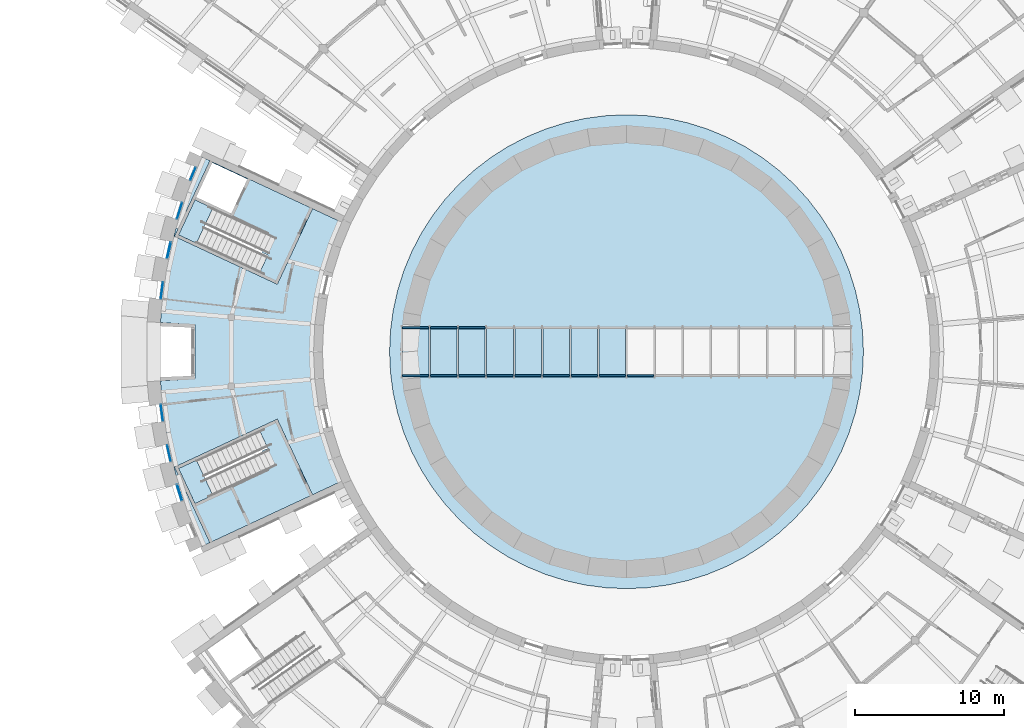
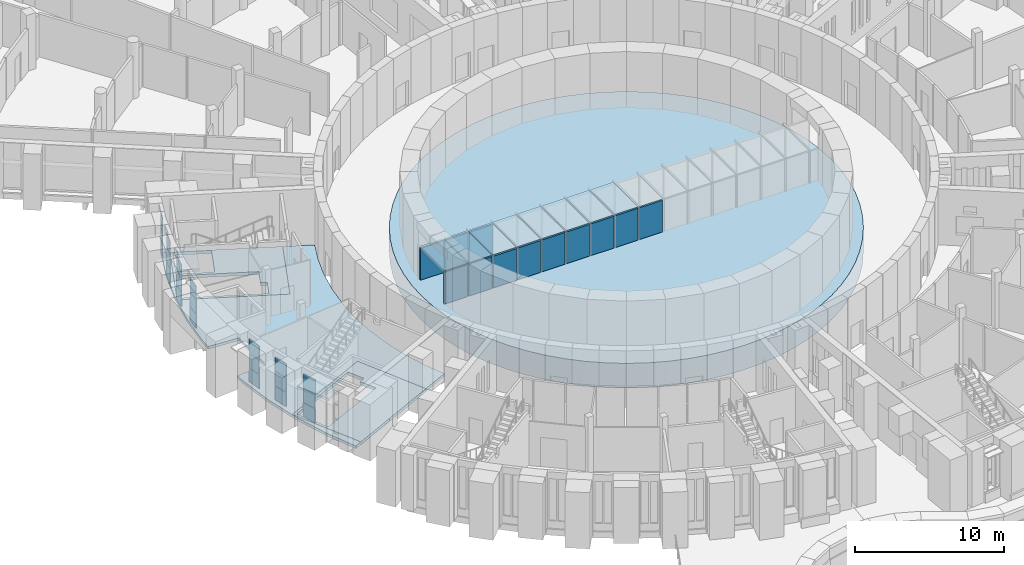
# One storey, part 33 of 85: 41 plates, 6 slabs, 10 elements without a shape of their own.
"""IFC4 building model written with IfcOpenShell, lengths in metres."""

from ifc_helpers import new_model, si_unit, direction, frame, origin, origin_2d, place, context, subcontext, project, spatial, polyline, rectangle, outline, extrude, material, layer, layer_set, type_object, element, aggregate, save


model = new_model("IFC4")

# Units and contexts
model_context = context("Model", 3, precision=1e-05, world=origin(), true_north=direction((0.0, 1.0)))
body_context = subcontext(model_context, "Body", "Model", "MODEL_VIEW")
ifc_project = project(units=[si_unit("LENGTHUNIT", "METRE"), si_unit("AREAUNIT", "SQUARE_METRE"), si_unit("VOLUMEUNIT", "CUBIC_METRE"), si_unit("PLANEANGLEUNIT", "RADIAN"), si_unit("MASSUNIT", "GRAM", prefix="KILO")], contexts=[model_context])

# Site, building, storey
site_placement = place(None, origin())
site = spatial("IfcSite", under=ifc_project, at=site_placement, CompositionType="ELEMENT")
building_placement = place(site_placement, origin())
building = spatial("IfcBuilding", under=site, at=building_placement, Name="Volute Hill Aquarium", CompositionType="ELEMENT")
storey_placement = place(building_placement, origin())
storey = spatial("IfcBuildingStorey", under=building, at=storey_placement, Name="L01", CompositionType="ELEMENT", Elevation=0.0)

# Slabs
ifc_material_1 = material(Name="Concrete C30/37", Category="concrete")
ifc_layer_1 = layer(ifc_material_1, 0.25)
ifc_layer_set_1 = layer_set([ifc_layer_1], Name="Core floor slab 250")
slab_type_1 = type_object("IfcSlabType", Name="Core floor slab 250", PredefinedType="FLOOR", material=ifc_layer_set_1)
slab_1_placement = place(storey_placement, frame((0.0, 0.0, -0.25)))
element("IfcSlab", 1, at=slab_1_placement, inside=storey, type_object=slab_type_1, Name="cs/S1-A/L01", PredefinedType="FLOOR", context=body_context, shape_type="SweptSolid", body=[
    extrude(outline(polyline([(-21.0654296875, 9.602294921875), (-27.95361328125, 12.814208984375), (-30.3203125, 7.739013671875), (-23.43212890625, 4.527099609375), (-21.0654296875, 9.602294921875)]), holes=[polyline([(-26.5146484375, 9.2744140625), (-28.87109375, 10.373291015625), (-27.79345703125, 12.684326171875), (-25.43701171875, 11.585693359375), (-26.5146484375, 9.2744140625)]), polyline([(-24.47509765625, 6.668212890625), (-24.06884765625, 6.47900390625), (-24.618408203125, 5.30078125), (-30.054443359375, 7.835693359375), (-28.95556640625, 10.192138671875), (-23.925537109375, 7.846435546875), (-24.47509765625, 6.668212890625)])]), origin(), (0.0, 0.0, 1.0), 0.25),
])
slab_2_placement = place(storey_placement, frame((0.0, 0.0, -0.25)))
element("IfcSlab", 2, at=slab_2_placement, inside=storey, type_object=slab_type_1, Name="cs/S1-B/L01", PredefinedType="FLOOR", context=body_context, shape_type="SweptSolid", body=[
    extrude(outline(polyline([(-23.43212890625, -4.527099609375), (-30.3203125, -7.739013671875), (-27.95361328125, -12.814208984375), (-21.0654296875, -9.602294921875), (-23.43212890625, -4.527099609375)]), holes=[polyline([(-23.925537109375, -7.846435546875), (-28.95556640625, -10.192138671875), (-30.054443359375, -7.835693359375), (-24.618408203125, -5.30078125), (-24.06884765625, -6.47900390625), (-24.47509765625, -6.668212890625), (-23.925537109375, -7.846435546875)])]), origin(), (0.0, 0.0, 1.0), 0.25),
])

# Curtain wall, plates
ifc_material_2 = material(Name="Aluminium", Category="aluminium")
ifc_layer_2 = layer(ifc_material_2, 0.25)
ifc_layer_set_2 = layer_set([ifc_layer_2], Name="Curtain wall niche S1 module 993")
curtain_wall_type_1 = type_object("IfcCurtainWallType", Name="Curtain wall niche S1 module 993", PredefinedType="NOTDEFINED", material=ifc_layer_set_2)
curtain_wall_1_placement = place(storey_placement, origin())
curtain_wall_1 = element("IfcCurtainWall", 3, at=curtain_wall_1_placement, inside=storey, type_object=curtain_wall_type_1, Name="Curtain wall CW S1 L01 1", PredefinedType="NOTDEFINED")
ifc_material_3 = material(Name="Glass, low-iron laminated", Category="glass")
ifc_layer_3 = layer(ifc_material_3, 0.028076171875)
ifc_layer_set_3 = layer_set([ifc_layer_3], Name="Curtain wall glass panel S1 28")
plate_type_1 = type_object("IfcPlateType", Name="Curtain wall glass panel S1 28", PredefinedType="CURTAIN_PANEL", material=ifc_layer_set_3)
plate_1_placement = place(storey_placement, frame((-29.08935546875, 11.94091796875, 0.5), z_axis=(0.0, 0.0, 1.0), x_axis=(-0.382669702059, -0.923885219671, 0.0)))
plate_1 = element("IfcPlate", 4, at=plate_1_placement, type_object=plate_type_1, Name="CW panel 1.1", PredefinedType="CURTAIN_PANEL", context=body_context, shape_type="SweptSolid", body=[
    extrude(rectangle(XDim=0.892822265625, YDim=0.028076171875, at=origin_2d()), origin(), (0.0, 0.0, 1.0), 1.125),
])
plate_2_placement = place(storey_placement, frame((-29.08935546875, 11.94091796875, 1.675048828125), z_axis=(0.0, 0.0, 1.0), x_axis=(-0.382669702059, -0.923885219671, 0.0)))
plate_2 = element("IfcPlate", 5, at=plate_2_placement, type_object=plate_type_1, Name="CW panel 1.2", PredefinedType="CURTAIN_PANEL", context=body_context, shape_type="SweptSolid", body=[
    extrude(rectangle(XDim=0.892822265625, YDim=0.028076171875, at=origin_2d()), origin(), (0.0, 0.0, 1.0), 1.14990234375),
])
plate_3_placement = place(storey_placement, frame((-29.08935546875, 11.94091796875, 2.875), z_axis=(0.0, 0.0, 1.0), x_axis=(-0.382669702059, -0.923885219671, 0.0)))
plate_3 = element("IfcPlate", 6, at=plate_3_placement, type_object=plate_type_1, Name="CW panel 1.3", PredefinedType="CURTAIN_PANEL", context=body_context, shape_type="SweptSolid", body=[
    extrude(rectangle(XDim=0.892822265625, YDim=0.028076171875, at=origin_2d()), origin(), (0.0, 0.0, 1.0), 1.125),
])
aggregate(curtain_wall_1, [plate_1, plate_2, plate_3])

ifc_material_4 = material(Name="Aluminium", Category="aluminium")
ifc_layer_4 = layer(ifc_material_4, 0.25)
ifc_layer_set_4 = layer_set([ifc_layer_4], Name="Curtain wall niche S1 module 1193")
curtain_wall_type_2 = type_object("IfcCurtainWallType", Name="Curtain wall niche S1 module 1193", PredefinedType="NOTDEFINED", material=ifc_layer_set_4)
curtain_wall_2_placement = place(storey_placement, origin())
curtain_wall_2 = element("IfcCurtainWall", 7, at=curtain_wall_2_placement, inside=storey, type_object=curtain_wall_type_2, Name="Curtain wall CW S1 L01 2", PredefinedType="NOTDEFINED")
plate_4_placement = place(storey_placement, frame((-29.9892578125, 9.45556640625, 0.5), z_axis=(0.0, 0.0, 1.0), x_axis=(-0.300702070227, -0.953718126577, 0.0)))
plate_4 = element("IfcPlate", 8, at=plate_4_placement, type_object=plate_type_1, Name="CW panel 1.1", PredefinedType="CURTAIN_PANEL", context=body_context, shape_type="SweptSolid", body=[
    extrude(rectangle(XDim=1.093017578125, YDim=0.028076171875, at=origin_2d()), origin(), (0.0, 0.0, 1.0), 1.125),
])
plate_5_placement = place(storey_placement, frame((-29.9892578125, 9.45556640625, 1.675048828125), z_axis=(0.0, 0.0, 1.0), x_axis=(-0.300702070227, -0.953718126577, 0.0)))
plate_5 = element("IfcPlate", 9, at=plate_5_placement, type_object=plate_type_1, Name="CW panel 1.2", PredefinedType="CURTAIN_PANEL", context=body_context, shape_type="SweptSolid", body=[
    extrude(rectangle(XDim=1.093017578125, YDim=0.028076171875, at=origin_2d()), origin(), (0.0, 0.0, 1.0), 1.14990234375),
])
plate_6_placement = place(storey_placement, frame((-29.9892578125, 9.45556640625, 2.875), z_axis=(0.0, 0.0, 1.0), x_axis=(-0.300702070227, -0.953718126577, 0.0)))
plate_6 = element("IfcPlate", 10, at=plate_6_placement, type_object=plate_type_1, Name="CW panel 1.3", PredefinedType="CURTAIN_PANEL", context=body_context, shape_type="SweptSolid", body=[
    extrude(rectangle(XDim=1.093017578125, YDim=0.028076171875, at=origin_2d()), origin(), (0.0, 0.0, 1.0), 1.125),
])
aggregate(curtain_wall_2, [plate_4, plate_5, plate_6])

curtain_wall_3_placement = place(storey_placement, origin())
curtain_wall_3 = element("IfcCurtainWall", 11, at=curtain_wall_3_placement, inside=storey, type_object=curtain_wall_type_2, Name="Curtain wall CW S1 L01 3", PredefinedType="NOTDEFINED")
plate_7_placement = place(storey_placement, frame((-30.699462890625, 6.805908203125, 1.675048828125), z_axis=(0.0, 0.0, 1.0), x_axis=(-0.216458239523, -0.976291877741, 0.0)))
plate_7 = element("IfcPlate", 12, at=plate_7_placement, type_object=plate_type_1, Name="CW panel 1.2", PredefinedType="CURTAIN_PANEL", context=body_context, shape_type="SweptSolid", body=[
    extrude(rectangle(XDim=1.093017578125, YDim=0.028076171875, at=origin_2d()), origin(), (0.0, 0.0, 1.0), 1.14990234375),
])
plate_8_placement = place(storey_placement, frame((-30.699462890625, 6.805908203125, 2.875), z_axis=(0.0, 0.0, 1.0), x_axis=(-0.216458239523, -0.976291877741, 0.0)))
plate_8 = element("IfcPlate", 13, at=plate_8_placement, type_object=plate_type_1, Name="CW panel 1.3", PredefinedType="CURTAIN_PANEL", context=body_context, shape_type="SweptSolid", body=[
    extrude(rectangle(XDim=1.093017578125, YDim=0.028076171875, at=origin_2d()), origin(), (0.0, 0.0, 1.0), 1.125),
])

curtain_wall_4_placement = place(storey_placement, origin())
curtain_wall_4 = element("IfcCurtainWall", 14, at=curtain_wall_4_placement, inside=storey, type_object=curtain_wall_type_2, Name="Curtain wall CW S1 L01 4", PredefinedType="NOTDEFINED")
plate_9_placement = place(storey_placement, frame((-31.17578125, 4.104248046875, 0.5), z_axis=(0.0, 0.0, 1.0), x_axis=(-0.130531706148, -0.991444135436, 0.0)))
plate_9 = element("IfcPlate", 15, at=plate_9_placement, type_object=plate_type_1, Name="CW panel 1.1", PredefinedType="CURTAIN_PANEL", context=body_context, shape_type="SweptSolid", body=[
    extrude(rectangle(XDim=1.093017578125, YDim=0.028076171875, at=origin_2d()), origin(), (0.0, 0.0, 1.0), 1.125),
])
plate_10_placement = place(storey_placement, frame((-31.17578125, 4.104248046875, 1.675048828125), z_axis=(0.0, 0.0, 1.0), x_axis=(-0.130531706148, -0.991444135436, 0.0)))
plate_10 = element("IfcPlate", 16, at=plate_10_placement, type_object=plate_type_1, Name="CW panel 1.2", PredefinedType="CURTAIN_PANEL", context=body_context, shape_type="SweptSolid", body=[
    extrude(rectangle(XDim=1.093017578125, YDim=0.028076171875, at=origin_2d()), origin(), (0.0, 0.0, 1.0), 1.14990234375),
])
plate_11_placement = place(storey_placement, frame((-31.17578125, 4.104248046875, 2.875), z_axis=(0.0, 0.0, 1.0), x_axis=(-0.130531706148, -0.991444135436, 0.0)))
plate_11 = element("IfcPlate", 17, at=plate_11_placement, type_object=plate_type_1, Name="CW panel 1.3", PredefinedType="CURTAIN_PANEL", context=body_context, shape_type="SweptSolid", body=[
    extrude(rectangle(XDim=1.093017578125, YDim=0.028076171875, at=origin_2d()), origin(), (0.0, 0.0, 1.0), 1.125),
])
aggregate(curtain_wall_4, [plate_9, plate_10, plate_11])

curtain_wall_5_placement = place(storey_placement, origin())
curtain_wall_5 = element("IfcCurtainWall", 18, at=curtain_wall_5_placement, inside=storey, type_object=curtain_wall_type_2, Name="Curtain wall CW S1 L01 7", PredefinedType="NOTDEFINED")
plate_12_placement = place(storey_placement, frame((-31.17578125, -4.1044921875, 0.5), z_axis=(0.0, 0.0, 1.0), x_axis=(0.130523466497, -0.991445220218, 0.0)))
plate_12 = element("IfcPlate", 19, at=plate_12_placement, type_object=plate_type_1, Name="CW panel 1.1", PredefinedType="CURTAIN_PANEL", context=body_context, shape_type="SweptSolid", body=[
    extrude(rectangle(XDim=1.093017578125, YDim=0.028076171875, at=origin_2d()), origin(), (0.0, 0.0, 1.0), 1.125),
])
plate_13_placement = place(storey_placement, frame((-31.17578125, -4.1044921875, 1.675048828125), z_axis=(0.0, 0.0, 1.0), x_axis=(0.130523466497, -0.991445220218, 0.0)))
plate_13 = element("IfcPlate", 20, at=plate_13_placement, type_object=plate_type_1, Name="CW panel 1.2", PredefinedType="CURTAIN_PANEL", context=body_context, shape_type="SweptSolid", body=[
    extrude(rectangle(XDim=1.093017578125, YDim=0.028076171875, at=origin_2d()), origin(), (0.0, 0.0, 1.0), 1.14990234375),
])
plate_14_placement = place(storey_placement, frame((-31.17578125, -4.1044921875, 2.875), z_axis=(0.0, 0.0, 1.0), x_axis=(0.130523466497, -0.991445220218, 0.0)))
plate_14 = element("IfcPlate", 21, at=plate_14_placement, type_object=plate_type_1, Name="CW panel 1.3", PredefinedType="CURTAIN_PANEL", context=body_context, shape_type="SweptSolid", body=[
    extrude(rectangle(XDim=1.093017578125, YDim=0.028076171875, at=origin_2d()), origin(), (0.0, 0.0, 1.0), 1.125),
])
aggregate(curtain_wall_5, [plate_12, plate_13, plate_14])

curtain_wall_6_placement = place(storey_placement, origin())
curtain_wall_6 = element("IfcCurtainWall", 22, at=curtain_wall_6_placement, inside=storey, type_object=curtain_wall_type_2, Name="Curtain wall CW S1 L01 8", PredefinedType="NOTDEFINED")
plate_15_placement = place(storey_placement, frame((-30.699462890625, -6.805908203125, 0.5), z_axis=(0.0, 0.0, 1.0), x_axis=(0.216456468061, -0.976292270498, 0.0)))
plate_15 = element("IfcPlate", 23, at=plate_15_placement, type_object=plate_type_1, Name="CW panel 1.1", PredefinedType="CURTAIN_PANEL", context=body_context, shape_type="SweptSolid", body=[
    extrude(rectangle(XDim=1.093017578125, YDim=0.028076171875, at=origin_2d()), origin(), (0.0, 0.0, 1.0), 1.125),
])
plate_16_placement = place(storey_placement, frame((-30.699462890625, -6.805908203125, 1.675048828125), z_axis=(0.0, 0.0, 1.0), x_axis=(0.216456468061, -0.976292270498, 0.0)))
plate_16 = element("IfcPlate", 24, at=plate_16_placement, type_object=plate_type_1, Name="CW panel 1.2", PredefinedType="CURTAIN_PANEL", context=body_context, shape_type="SweptSolid", body=[
    extrude(rectangle(XDim=1.093017578125, YDim=0.028076171875, at=origin_2d()), origin(), (0.0, 0.0, 1.0), 1.14990234375),
])
plate_17_placement = place(storey_placement, frame((-30.699462890625, -6.805908203125, 2.875), z_axis=(0.0, 0.0, 1.0), x_axis=(0.216456468061, -0.976292270498, 0.0)))
plate_17 = element("IfcPlate", 25, at=plate_17_placement, type_object=plate_type_1, Name="CW panel 1.3", PredefinedType="CURTAIN_PANEL", context=body_context, shape_type="SweptSolid", body=[
    extrude(rectangle(XDim=1.093017578125, YDim=0.028076171875, at=origin_2d()), origin(), (0.0, 0.0, 1.0), 1.125),
])
aggregate(curtain_wall_6, [plate_15, plate_16, plate_17])

curtain_wall_7_placement = place(storey_placement, origin())
curtain_wall_7 = element("IfcCurtainWall", 26, at=curtain_wall_7_placement, inside=storey, type_object=curtain_wall_type_2, Name="Curtain wall CW S1 L01 9", PredefinedType="NOTDEFINED")
plate_18_placement = place(storey_placement, frame((-29.9892578125, -9.45556640625, 1.675048828125), z_axis=(0.0, 0.0, 1.0), x_axis=(0.30069966623, -0.95371888454, 0.0)))
plate_18 = element("IfcPlate", 27, at=plate_18_placement, type_object=plate_type_1, Name="CW panel 1.2", PredefinedType="CURTAIN_PANEL", context=body_context, shape_type="SweptSolid", body=[
    extrude(rectangle(XDim=1.093017578125, YDim=0.028076171875, at=origin_2d()), origin(), (0.0, 0.0, 1.0), 1.14990234375),
])
plate_19_placement = place(storey_placement, frame((-29.9892578125, -9.45556640625, 2.875), z_axis=(0.0, 0.0, 1.0), x_axis=(0.30069966623, -0.95371888454, 0.0)))
plate_19 = element("IfcPlate", 28, at=plate_19_placement, type_object=plate_type_1, Name="CW panel 1.3", PredefinedType="CURTAIN_PANEL", context=body_context, shape_type="SweptSolid", body=[
    extrude(rectangle(XDim=1.093017578125, YDim=0.028076171875, at=origin_2d()), origin(), (0.0, 0.0, 1.0), 1.125),
])

# Plate
ifc_material_5 = material(Name="Aluminium", Category="aluminium")
ifc_layer_5 = layer(ifc_material_5, 0.06005859375)
ifc_layer_set_5 = layer_set([ifc_layer_5], Name="Curtain wall insulated spandrel panel 60")
plate_type_2 = type_object("IfcPlateType", Name="Curtain wall insulated spandrel panel 60", PredefinedType="CURTAIN_PANEL", material=ifc_layer_set_5)
plate_20_placement = place(storey_placement, frame((-30.699462890625, 6.805908203125, 0.5), z_axis=(0.0, 0.0, 1.0), x_axis=(-0.216458239523, -0.976291877741, 0.0)))
plate_20 = element("IfcPlate", 29, at=plate_20_placement, type_object=plate_type_2, Name="CW panel 1.1", PredefinedType="CURTAIN_PANEL", context=body_context, shape_type="SweptSolid", body=[
    extrude(rectangle(XDim=1.093017578125, YDim=0.06005859375, at=origin_2d()), origin(), (0.0, 0.0, 1.0), 1.125),
])

aggregate(curtain_wall_3, [plate_20, plate_7, plate_8])

plate_21_placement = place(storey_placement, frame((-29.9892578125, -9.45556640625, 0.5), z_axis=(0.0, 0.0, 1.0), x_axis=(0.30069966623, -0.95371888454, 0.0)))
plate_21 = element("IfcPlate", 30, at=plate_21_placement, type_object=plate_type_2, Name="CW panel 1.1", PredefinedType="CURTAIN_PANEL", context=body_context, shape_type="SweptSolid", body=[
    extrude(rectangle(XDim=1.093017578125, YDim=0.06005859375, at=origin_2d()), origin(), (0.0, 0.0, 1.0), 1.125),
])

aggregate(curtain_wall_7, [plate_21, plate_18, plate_19])

# Slab
ifc_material_6 = material(Name="Concrete C35/45", Category="concrete")
ifc_layer_6 = layer(ifc_material_6, 0.219970703125)
ifc_layer_set_6 = layer_set([ifc_layer_6], Name="Floor slab 220 C35/45")
slab_type_2 = type_object("IfcSlabType", Name="Floor slab 220 C35/45", PredefinedType="FLOOR", material=ifc_layer_set_6)
slab_3_placement = place(storey_placement, frame((0.0, 0.0, -0.219970703125)))
element("IfcSlab", 31, at=slab_3_placement, inside=storey, type_object=slab_type_2, Name="fl/S1/L01/1", PredefinedType="FLOOR", context=body_context, shape_type="SweptSolid", body=[
    extrude(outline(polyline([(-31.230712890625, 2.732421875), (-30.873779296875, 5.44384765625), (-30.28173828125, 8.114013671875), (-29.45947265625, 10.722412109375), (-28.4892578125, 13.064208984375), (-24.94482421875, 11.411376953125), (-27.95361328125, 12.814208984375), (-30.3203125, 7.739013671875), (-23.43212890625, 4.527099609375), (-21.0654296875, 9.602294921875), (-19.109130859375, 8.68994140625), (-19.7333984375, 7.182373046875), (-20.284423828125, 5.435302734375), (-20.680908203125, 3.646484375), (-20.920166015625, 1.830322265625), (-21.0, 0.0), (-20.920166015625, -1.830322265625), (-20.680908203125, -3.646484375), (-20.284423828125, -5.435302734375), (-19.7333984375, -7.182373046875), (-19.109130859375, -8.68994140625), (-21.0654296875, -9.602294921875), (-23.43212890625, -4.527099609375), (-30.3203125, -7.739013671875), (-27.95361328125, -12.814208984375), (-24.94482421875, -11.411376953125), (-28.4892578125, -13.064208984375), (-29.45947265625, -10.722412109375), (-30.28173828125, -8.114013671875), (-30.873779296875, -5.44384765625), (-31.230712890625, -2.732421875), (-31.2646484375, -1.95361328125), (-28.965087890625, -1.81005859375), (-28.965087890625, 1.809814453125), (-31.2646484375, 1.95361328125), (-31.230712890625, 2.732421875)])), origin(), (0.0, 0.0, 1.0), 0.219970703125),
])

# Stair, slab
ifc_material_7 = material(Name="Concrete C35/45", Category="concrete")
stair_type = type_object("IfcStairType", Name="Stair C35/45", PredefinedType="HALF_TURN_STAIR", material=ifc_material_7)
stair_1_placement = place(storey_placement, origin())
stair_1 = element("IfcStair", 32, at=stair_1_placement, inside=storey, type_object=stair_type, Name="ST/S1-A/L01", PredefinedType="HALF_TURN_STAIR")
ifc_material_8 = material(Name="Concrete C35/45", Category="concrete")
ifc_layer_7 = layer(ifc_material_8, 0.199951171875)
ifc_layer_set_7 = layer_set([ifc_layer_7], Name="Stair landing C35/45 200")
slab_type_3 = type_object("IfcSlabType", Name="Stair landing C35/45 200", PredefinedType="LANDING", material=ifc_layer_set_7)
slab_4_placement = place(storey_placement, frame((0.0, 0.0, 2.10009765625)))
slab_4 = element("IfcSlab", 33, at=slab_4_placement, type_object=slab_type_3, Name="ST-S1-A-01 landing 1", PredefinedType="LANDING", context=body_context, shape_type="SweptSolid", body=[
    extrude(outline(polyline([(-27.75732421875, 9.63330078125), (-28.95556640625, 10.192138671875), (-30.054443359375, 7.835693359375), (-28.856201171875, 7.277099609375), (-27.75732421875, 9.63330078125)])), origin(), (0.0, 0.0, 1.0), 0.199951171875),
])
aggregate(stair_1, [slab_4])

stair_2_placement = place(storey_placement, origin())
stair_2 = element("IfcStair", 34, at=stair_2_placement, inside=storey, type_object=stair_type, Name="ST/S1-B/L01", PredefinedType="HALF_TURN_STAIR")
slab_5_placement = place(storey_placement, frame((0.0, 0.0, 2.10009765625)))
slab_5 = element("IfcSlab", 35, at=slab_5_placement, type_object=slab_type_3, Name="ST-S1-B-01 landing 1", PredefinedType="LANDING", context=body_context, shape_type="SweptSolid", body=[
    extrude(outline(polyline([(-28.856201171875, -7.277099609375), (-30.054443359375, -7.835693359375), (-28.95556640625, -10.192138671875), (-27.75732421875, -9.63330078125), (-28.856201171875, -7.277099609375)])), origin(), (0.0, 0.0, 1.0), 0.199951171875),
])
aggregate(stair_2, [slab_5])

# Slab
ifc_material_9 = material(Name="Concrete C40/50", Category="concrete")
ifc_layer_8 = layer(ifc_material_9, 2.0)
ifc_layer_set_8 = layer_set([ifc_layer_8], Name="Transfer slab C40/50 2000")
slab_type_4 = type_object("IfcSlabType", Name="Transfer slab C40/50 2000", PredefinedType="FLOOR", material=ifc_layer_set_8)
slab_6_placement = place(storey_placement, frame((0.0, 0.0, -2.0)))
element("IfcSlab", 36, at=slab_6_placement, inside=storey, type_object=slab_type_4, Name="fl/DR/L01/1", PredefinedType="FLOOR", context=body_context, shape_type="SweptSolid", body=[
    extrude(outline(polyline([(15.89990234375, 0.0), (15.839599609375, 1.3857421875), (15.658447265625, 2.760986328125), (15.358154296875, 4.115234375), (14.941162109375, 5.43798828125), (14.410400390625, 6.719482421875), (13.769775390625, 7.949951171875), (13.0244140625, 9.119873046875), (12.18017578125, 10.22021484375), (11.242919921875, 11.242919921875), (10.22021484375, 12.18017578125), (9.119873046875, 13.0244140625), (7.949951171875, 13.769775390625), (6.719482421875, 14.410400390625), (5.43798828125, 14.941162109375), (4.115234375, 15.358154296875), (2.760986328125, 15.658447265625), (1.3857421875, 15.839599609375), (0.0, 15.89990234375), (-1.3857421875, 15.839599609375), (-2.760986328125, 15.658447265625), (-4.115234375, 15.358154296875), (-5.43798828125, 14.941162109375), (-6.719482421875, 14.410400390625), (-7.949951171875, 13.769775390625), (-9.119873046875, 13.0244140625), (-10.22021484375, 12.18017578125), (-11.242919921875, 11.242919921875), (-12.18017578125, 10.22021484375), (-13.0244140625, 9.119873046875), (-13.769775390625, 7.949951171875), (-14.410400390625, 6.719482421875), (-14.941162109375, 5.43798828125), (-15.358154296875, 4.115234375), (-15.658447265625, 2.760986328125), (-15.839599609375, 1.3857421875), (-15.89990234375, 0.0), (-15.839599609375, -1.3857421875), (-15.658447265625, -2.760986328125), (-15.358154296875, -4.115234375), (-14.941162109375, -5.43798828125), (-14.410400390625, -6.719482421875), (-13.769775390625, -7.949951171875), (-13.0244140625, -9.119873046875), (-12.18017578125, -10.22021484375), (-11.242919921875, -11.242919921875), (-10.22021484375, -12.18017578125), (-9.119873046875, -13.0244140625), (-7.949951171875, -13.769775390625), (-6.719482421875, -14.410400390625), (-5.43798828125, -14.941162109375), (-4.115234375, -15.358154296875), (-2.760986328125, -15.658447265625), (-1.3857421875, -15.839599609375), (0.0, -15.89990234375), (1.3857421875, -15.839599609375), (2.760986328125, -15.658447265625), (4.115234375, -15.358154296875), (5.43798828125, -14.941162109375), (6.719482421875, -14.410400390625), (7.949951171875, -13.769775390625), (9.119873046875, -13.0244140625), (10.22021484375, -12.18017578125), (11.242919921875, -11.242919921875), (12.18017578125, -10.22021484375), (13.0244140625, -9.119873046875), (13.769775390625, -7.949951171875), (14.410400390625, -6.719482421875), (14.941162109375, -5.43798828125), (15.358154296875, -4.115234375), (15.658447265625, -2.760986328125), (15.839599609375, -1.3857421875), (15.89990234375, 0.0)])), origin(), (0.0, 0.0, 1.0), 2.0),
])

# Curtain wall, plates
ifc_material_10 = material(Name="Acrylic PMMA")
curtain_wall_type_3 = type_object("IfcCurtainWallType", Name="Viewing tunnel acrylic assembly", PredefinedType="NOTDEFINED", material=ifc_material_10)
curtain_wall_8_placement = place(storey_placement, origin())
curtain_wall_8 = element("IfcCurtainWall", 37, at=curtain_wall_8_placement, inside=storey, type_object=curtain_wall_type_3, Name="Viewing tunnel acrylic assembly", PredefinedType="NOTDEFINED")
ifc_material_11 = material(Name="Acrylic PMMA")
ifc_layer_9 = layer(ifc_material_11, 0.1201171875)
ifc_layer_set_9 = layer_set([ifc_layer_9], Name="Tunnel acrylic side panel 120")
plate_type_3 = type_object("IfcPlateType", Name="Tunnel acrylic side panel 120", PredefinedType="CURTAIN_PANEL", material=ifc_layer_set_9)
plate_22_placement = place(storey_placement, frame((-14.14697265625, -1.610107421875, 0.0), z_axis=(0.0, 0.0, 1.0), x_axis=(1.0, 0.0, 0.0)))
plate_22 = element("IfcPlate", 38, at=plate_22_placement, type_object=plate_type_3, Name="Tunnel acrylic panel 1A", PredefinedType="CURTAIN_PANEL", context=body_context, shape_type="SweptSolid", body=[
    extrude(rectangle(XDim=1.7861328125, YDim=0.1201171875, at=origin_2d()), origin(), (0.0, 0.0, 1.0), 2.60009765625),
])
plate_23_placement = place(storey_placement, frame((-14.14697265625, 1.610107421875, 0.0), z_axis=(0.0, 0.0, 1.0), x_axis=(1.0, 0.0, 0.0)))
plate_23 = element("IfcPlate", 39, at=plate_23_placement, type_object=plate_type_3, Name="Tunnel acrylic panel 1B", PredefinedType="CURTAIN_PANEL", context=body_context, shape_type="SweptSolid", body=[
    extrude(rectangle(XDim=1.7861328125, YDim=0.1201171875, at=origin_2d()), origin(), (0.0, 0.0, 1.0), 2.60009765625),
])
plate_24_placement = place(storey_placement, frame((-14.14697265625, 0.0, 2.599853515625), z_axis=(0.0, 0.0, 1.0), x_axis=(1.0, 0.0, 0.0)))
plate_24 = element("IfcPlate", 40, at=plate_24_placement, type_object=plate_type_3, Name="Tunnel acrylic roof panel 1", PredefinedType="CURTAIN_PANEL", context=body_context, shape_type="SweptSolid", body=[
    extrude(rectangle(XDim=1.7861328125, YDim=3.340087890625, at=origin_2d()), origin(), (0.0, 0.0, 1.0), 0.1201171875),
])
plate_25_placement = place(storey_placement, frame((-12.2607421875, -1.610107421875, 0.0), z_axis=(0.0, 0.0, 1.0), x_axis=(1.0, 0.0, 0.0)))
plate_25 = element("IfcPlate", 41, at=plate_25_placement, type_object=plate_type_3, Name="Tunnel acrylic panel 2A", PredefinedType="CURTAIN_PANEL", context=body_context, shape_type="SweptSolid", body=[
    extrude(rectangle(XDim=1.7861328125, YDim=0.1201171875, at=origin_2d()), origin(), (0.0, 0.0, 1.0), 2.60009765625),
])
plate_26_placement = place(storey_placement, frame((-12.2607421875, 1.610107421875, 0.0), z_axis=(0.0, 0.0, 1.0), x_axis=(1.0, 0.0, 0.0)))
plate_26 = element("IfcPlate", 42, at=plate_26_placement, type_object=plate_type_3, Name="Tunnel acrylic panel 2B", PredefinedType="CURTAIN_PANEL", context=body_context, shape_type="SweptSolid", body=[
    extrude(rectangle(XDim=1.7861328125, YDim=0.1201171875, at=origin_2d()), origin(), (0.0, 0.0, 1.0), 2.60009765625),
])
plate_27_placement = place(storey_placement, frame((-12.2607421875, 0.0, 2.599853515625), z_axis=(0.0, 0.0, 1.0), x_axis=(1.0, 0.0, 0.0)))
plate_27 = element("IfcPlate", 43, at=plate_27_placement, type_object=plate_type_3, Name="Tunnel acrylic roof panel 2", PredefinedType="CURTAIN_PANEL", context=body_context, shape_type="SweptSolid", body=[
    extrude(rectangle(XDim=1.7861328125, YDim=3.340087890625, at=origin_2d()), origin(), (0.0, 0.0, 1.0), 0.1201171875),
])
plate_28_placement = place(storey_placement, frame((-10.374267578125, -1.610107421875, 0.0), z_axis=(0.0, 0.0, 1.0), x_axis=(1.0, 0.0, 0.0)))
plate_28 = element("IfcPlate", 44, at=plate_28_placement, type_object=plate_type_3, Name="Tunnel acrylic panel 3A", PredefinedType="CURTAIN_PANEL", context=body_context, shape_type="SweptSolid", body=[
    extrude(rectangle(XDim=1.7861328125, YDim=0.1201171875, at=origin_2d()), origin(), (0.0, 0.0, 1.0), 2.60009765625),
])
plate_29_placement = place(storey_placement, frame((-10.374267578125, 1.610107421875, 0.0), z_axis=(0.0, 0.0, 1.0), x_axis=(1.0, 0.0, 0.0)))
plate_29 = element("IfcPlate", 45, at=plate_29_placement, type_object=plate_type_3, Name="Tunnel acrylic panel 3B", PredefinedType="CURTAIN_PANEL", context=body_context, shape_type="SweptSolid", body=[
    extrude(rectangle(XDim=1.7861328125, YDim=0.1201171875, at=origin_2d()), origin(), (0.0, 0.0, 1.0), 2.60009765625),
])
plate_30_placement = place(storey_placement, frame((-10.374267578125, 0.0, 2.599853515625), z_axis=(0.0, 0.0, 1.0), x_axis=(1.0, 0.0, 0.0)))
plate_30 = element("IfcPlate", 46, at=plate_30_placement, type_object=plate_type_3, Name="Tunnel acrylic roof panel 3", PredefinedType="CURTAIN_PANEL", context=body_context, shape_type="SweptSolid", body=[
    extrude(rectangle(XDim=1.7861328125, YDim=3.340087890625, at=origin_2d()), origin(), (0.0, 0.0, 1.0), 0.1201171875),
])
plate_31_placement = place(storey_placement, frame((-8.488037109375, -1.610107421875, 0.0), z_axis=(0.0, 0.0, 1.0), x_axis=(1.0, 0.0, 0.0)))
plate_31 = element("IfcPlate", 47, at=plate_31_placement, type_object=plate_type_3, Name="Tunnel acrylic panel 4A", PredefinedType="CURTAIN_PANEL", context=body_context, shape_type="SweptSolid", body=[
    extrude(rectangle(XDim=1.7861328125, YDim=0.1201171875, at=origin_2d()), origin(), (0.0, 0.0, 1.0), 2.60009765625),
])
plate_32_placement = place(storey_placement, frame((-8.488037109375, 0.0, 2.599853515625), z_axis=(0.0, 0.0, 1.0), x_axis=(1.0, 0.0, 0.0)))
plate_32 = element("IfcPlate", 48, at=plate_32_placement, type_object=plate_type_3, Name="Tunnel acrylic roof panel 4", PredefinedType="CURTAIN_PANEL", context=body_context, shape_type="SweptSolid", body=[
    extrude(rectangle(XDim=1.7861328125, YDim=3.340087890625, at=origin_2d()), origin(), (0.0, 0.0, 1.0), 0.1201171875),
])
plate_33_placement = place(storey_placement, frame((-6.601806640625, -1.610107421875, 0.0), z_axis=(0.0, 0.0, 1.0), x_axis=(1.0, 0.0, 0.0)))
plate_33 = element("IfcPlate", 49, at=plate_33_placement, type_object=plate_type_3, Name="Tunnel acrylic panel 5A", PredefinedType="CURTAIN_PANEL", context=body_context, shape_type="SweptSolid", body=[
    extrude(rectangle(XDim=1.7861328125, YDim=0.1201171875, at=origin_2d()), origin(), (0.0, 0.0, 1.0), 2.60009765625),
])
plate_34_placement = place(storey_placement, frame((-6.601806640625, 0.0, 2.599853515625), z_axis=(0.0, 0.0, 1.0), x_axis=(1.0, 0.0, 0.0)))
plate_34 = element("IfcPlate", 50, at=plate_34_placement, type_object=plate_type_3, Name="Tunnel acrylic roof panel 5", PredefinedType="CURTAIN_PANEL", context=body_context, shape_type="SweptSolid", body=[
    extrude(rectangle(XDim=1.7861328125, YDim=3.340087890625, at=origin_2d()), origin(), (0.0, 0.0, 1.0), 0.1201171875),
])
plate_35_placement = place(storey_placement, frame((-4.715576171875, -1.610107421875, 0.0), z_axis=(0.0, 0.0, 1.0), x_axis=(1.0, 0.0, 0.0)))
plate_35 = element("IfcPlate", 51, at=plate_35_placement, type_object=plate_type_3, Name="Tunnel acrylic panel 6A", PredefinedType="CURTAIN_PANEL", context=body_context, shape_type="SweptSolid", body=[
    extrude(rectangle(XDim=1.7861328125, YDim=0.1201171875, at=origin_2d()), origin(), (0.0, 0.0, 1.0), 2.60009765625),
])
plate_36_placement = place(storey_placement, frame((-4.715576171875, 0.0, 2.599853515625), z_axis=(0.0, 0.0, 1.0), x_axis=(1.0, 0.0, 0.0)))
plate_36 = element("IfcPlate", 52, at=plate_36_placement, type_object=plate_type_3, Name="Tunnel acrylic roof panel 6", PredefinedType="CURTAIN_PANEL", context=body_context, shape_type="SweptSolid", body=[
    extrude(rectangle(XDim=1.7861328125, YDim=3.340087890625, at=origin_2d()), origin(), (0.0, 0.0, 1.0), 0.1201171875),
])
plate_37_placement = place(storey_placement, frame((-2.829345703125, -1.610107421875, 0.0), z_axis=(0.0, 0.0, 1.0), x_axis=(1.0, 0.0, 0.0)))
plate_37 = element("IfcPlate", 53, at=plate_37_placement, type_object=plate_type_3, Name="Tunnel acrylic panel 7A", PredefinedType="CURTAIN_PANEL", context=body_context, shape_type="SweptSolid", body=[
    extrude(rectangle(XDim=1.7861328125, YDim=0.1201171875, at=origin_2d()), origin(), (0.0, 0.0, 1.0), 2.60009765625),
])
plate_38_placement = place(storey_placement, frame((-2.829345703125, 0.0, 2.599853515625), z_axis=(0.0, 0.0, 1.0), x_axis=(1.0, 0.0, 0.0)))
plate_38 = element("IfcPlate", 54, at=plate_38_placement, type_object=plate_type_3, Name="Tunnel acrylic roof panel 7", PredefinedType="CURTAIN_PANEL", context=body_context, shape_type="SweptSolid", body=[
    extrude(rectangle(XDim=1.7861328125, YDim=3.340087890625, at=origin_2d()), origin(), (0.0, 0.0, 1.0), 0.1201171875),
])
plate_39_placement = place(storey_placement, frame((-0.943115234375, -1.610107421875, 0.0), z_axis=(0.0, 0.0, 1.0), x_axis=(1.0, 0.0, 0.0)))
plate_39 = element("IfcPlate", 55, at=plate_39_placement, type_object=plate_type_3, Name="Tunnel acrylic panel 8A", PredefinedType="CURTAIN_PANEL", context=body_context, shape_type="SweptSolid", body=[
    extrude(rectangle(XDim=1.7861328125, YDim=0.1201171875, at=origin_2d()), origin(), (0.0, 0.0, 1.0), 2.60009765625),
])
plate_40_placement = place(storey_placement, frame((-0.943115234375, 0.0, 2.599853515625), z_axis=(0.0, 0.0, 1.0), x_axis=(1.0, 0.0, 0.0)))
plate_40 = element("IfcPlate", 56, at=plate_40_placement, type_object=plate_type_3, Name="Tunnel acrylic roof panel 8", PredefinedType="CURTAIN_PANEL", context=body_context, shape_type="SweptSolid", body=[
    extrude(rectangle(XDim=1.7861328125, YDim=3.340087890625, at=origin_2d()), origin(), (0.0, 0.0, 1.0), 0.1201171875),
])
plate_41_placement = place(storey_placement, frame((0.943115234375, -1.610107421875, 0.0), z_axis=(0.0, 0.0, 1.0), x_axis=(1.0, 0.0, 0.0)))
plate_41 = element("IfcPlate", 57, at=plate_41_placement, type_object=plate_type_3, Name="Tunnel acrylic panel 9A", PredefinedType="CURTAIN_PANEL", context=body_context, shape_type="SweptSolid", body=[
    extrude(rectangle(XDim=1.7861328125, YDim=0.1201171875, at=origin_2d()), origin(), (0.0, 0.0, 1.0), 2.60009765625),
])
aggregate(curtain_wall_8, [plate_22, plate_23, plate_24, plate_25, plate_26, plate_27, plate_28, plate_29, plate_30, plate_31, plate_32, plate_33, plate_34, plate_35, plate_36, plate_37, plate_38, plate_39, plate_40, plate_41])

save(model, "model.ifc")
